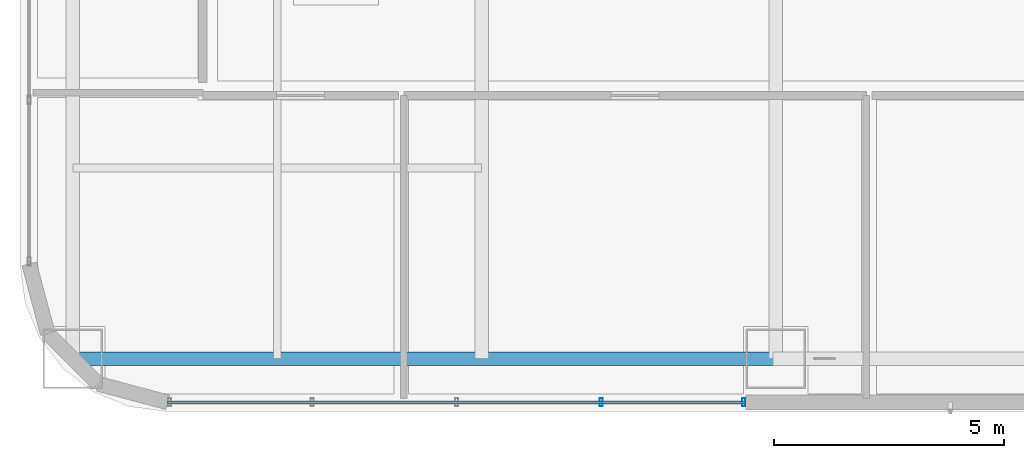
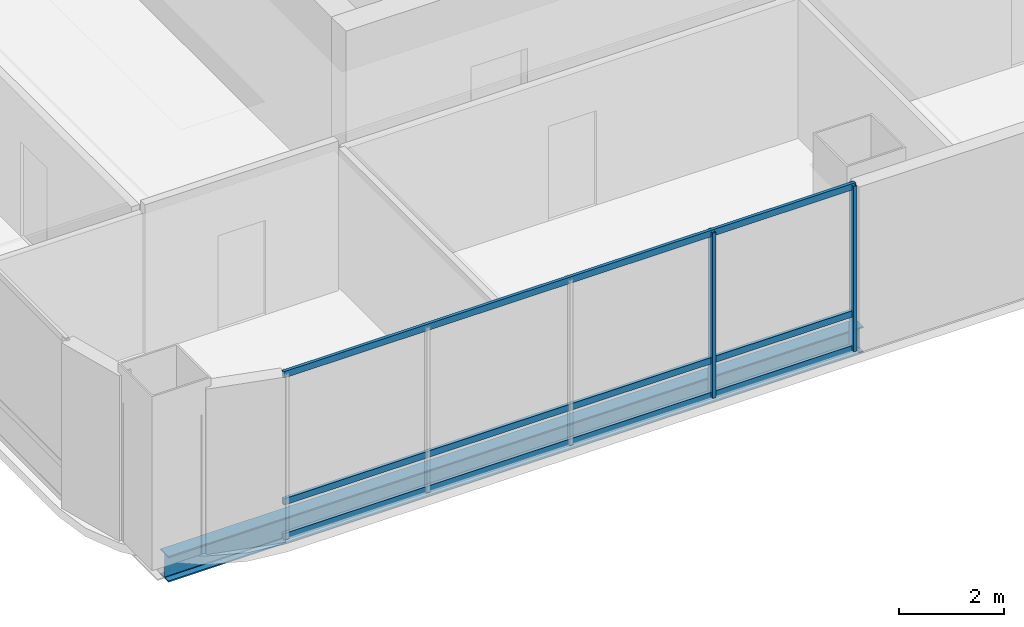
# One storey, part 3 of 44: 5 members, 1 beam, 1 element without a shape of its own.
"""IFC4 building model written with IfcOpenShell, lengths in metres."""

import ifcopenshell
import ifcopenshell.guid

model = None  # the IFC model being written
_history = None  # IfcOwnerHistory: only IFC2X3 demands one
_inside = {}  # id of a spatial element -> (the spatial element, [elements in it])
_under = {}  # id of a project, library or spatial element -> (it, [spatial elements below it])
_declared = {}  # id of a project -> (the project, [libraries it declares])
_typed = {}  # id of a type object -> (the type object, [elements of that type])
_made_of = {}  # id of a material, layer set ... -> (it, [elements and type objects made of it])


def new_model(schema):
    """Start an empty IFC model of exactly this schema.

    Asked for "IFC4X3", IfcOpenShell would pick the latest addendum, in which some entities
    have other attributes; the version numbers below select the first issue.
    IFC2X3 requires an IfcOwnerHistory on every rooted entity: one is made here for all.
    """
    global model, _history
    if schema == "IFC4X3":
        model = ifcopenshell.file(schema_version=(4, 3, 0, 0))
    else:
        model = ifcopenshell.file(schema=schema)
    _inside.clear()
    _under.clear()
    _declared.clear()
    _typed.clear()
    _made_of.clear()
    _history = None
    if model.schema == "IFC2X3":
        org = make("IfcOrganization", Name="unknown")
        user = make(
            "IfcPersonAndOrganization",
            ThePerson=make("IfcPerson", FamilyName="unknown"),
            TheOrganization=org,
        )
        app = make(
            "IfcApplication",
            ApplicationDeveloper=org,
            Version="unknown",
            ApplicationFullName="unknown",
            ApplicationIdentifier="unknown",
        )
        _history = make(
            "IfcOwnerHistory",
            OwningUser=user,
            OwningApplication=app,
            ChangeAction="ADDED",
            CreationDate=0,
        )
    return model


def make(cls, **values):
    """One entity of the class cls with the attributes given. An attribute that is None is left unset."""
    return model.create_entity(
        cls, **{name: value for name, value in values.items() if value is not None}
    )


def rooted(cls, **values):
    """An entity with a GlobalId (a new one), such as an element, a storey or a relation."""
    return make(cls, GlobalId=ifcopenshell.guid.new(), OwnerHistory=_history, **values)


def si_unit(unit_type, name, prefix=None):
    """IfcSIUnit, for example si_unit("LENGTHUNIT", "METRE", prefix="MILLI")."""
    return make("IfcSIUnit", UnitType=unit_type, Prefix=prefix, Name=name)


def assignment(units):
    """IfcUnitAssignment: the units of a project."""
    return None if units is None else make("IfcUnitAssignment", Units=units)


def point(xyz):
    """IfcCartesianPoint."""
    return None if xyz is None else make("IfcCartesianPoint", Coordinates=xyz)


def direction(xyz):
    """IfcDirection."""
    return None if xyz is None else make("IfcDirection", DirectionRatios=xyz)


def frame(location, z_axis=None, x_axis=None):
    """IfcAxis2Placement3D, a coordinate frame: its origin and axes. An axis left out is left unset."""
    return make(
        "IfcAxis2Placement3D",
        Location=point(location),
        Axis=direction(z_axis),
        RefDirection=direction(x_axis),
    )


def frame_2d(location, x_axis=None):
    """IfcAxis2Placement2D, a coordinate frame in the plane: its origin and x axis."""
    return make(
        "IfcAxis2Placement2D", Location=point(location), RefDirection=direction(x_axis)
    )


def origin():
    """The frame at (0, 0, 0) with its axes left unset."""
    return frame((0.0, 0.0, 0.0))


def origin_2d():
    """The frame at (0, 0) in the plane with its x axis left unset."""
    return frame_2d((0.0, 0.0))


def place(relative_to, where):
    """IfcLocalPlacement: puts the frame where relative to a parent placement (None: the world)."""
    return make(
        "IfcLocalPlacement", PlacementRelTo=relative_to, RelativePlacement=where
    )


def context(
    kind, dimensions, precision=None, world=None, true_north=None, identifier=None
):
    """IfcGeometricRepresentationContext, for example the 3D "Model" context."""
    return make(
        "IfcGeometricRepresentationContext",
        ContextIdentifier=identifier,
        ContextType=kind,
        CoordinateSpaceDimension=dimensions,
        Precision=precision,
        WorldCoordinateSystem=world,
        TrueNorth=true_north,
    )


def subcontext(parent, identifier, kind, view, scale=None):
    """IfcGeometricRepresentationSubContext, for example "Body" below "Model"."""
    return make(
        "IfcGeometricRepresentationSubContext",
        ContextIdentifier=identifier,
        ContextType=kind,
        ParentContext=parent,
        TargetScale=scale,
        TargetView=view,
    )


def project(units=None, contexts=None):
    """IfcProject with its units and contexts."""
    return rooted(
        "IfcProject",
        Name="project",
        RepresentationContexts=contexts,
        UnitsInContext=assignment(units),
    )


def spatial(cls, under=None, at=None, **own):
    """A site, building, storey or space (cls), placed at a placement, below another one or the project."""
    s = rooted(cls, ObjectPlacement=at, **own)
    if under is not None:
        _under.setdefault(under.id(), (under, []))[1].append(s)
    return s


def profile(cls, at=None, kind="AREA", **sizes):
    """A parametric profile (cls). Its sizes go by their IFC names, for example OverallWidth=200.0."""
    return make(cls, ProfileType=kind, Position=at, **sizes)


def hollow_rectangle(**sizes):
    """IfcRectangleHollowProfileDef."""
    return profile("IfcRectangleHollowProfileDef", **sizes)


def i_section(**sizes):
    """IfcIShapeProfileDef."""
    return profile("IfcIShapeProfileDef", **sizes)


def extrude(swept, where, along, depth):
    """IfcExtrudedAreaSolid: the profile swept, set in the frame where, extruded along a direction by depth."""
    return make(
        "IfcExtrudedAreaSolid",
        SweptArea=swept,
        Position=where,
        ExtrudedDirection=direction(along),
        Depth=depth,
    )


def shape(context_of_items, identifier, shape_type, items):
    """IfcShapeRepresentation: the items that make up one representation, for example the "Body"."""
    return make(
        "IfcShapeRepresentation",
        ContextOfItems=context_of_items,
        RepresentationIdentifier=identifier,
        RepresentationType=shape_type,
        Items=items,
    )


def material(Name=None, Category=None):
    """IfcMaterial."""
    return make("IfcMaterial", Name=Name, Category=Category)


def material_profile(
    of_material, cross_section, Name=None, Category=None, Priority=None
):
    """IfcMaterialProfile: a cross section and its material."""
    return make(
        "IfcMaterialProfile",
        Name=Name,
        Material=of_material,
        Profile=cross_section,
        Priority=Priority,
        Category=Category,
    )


def profile_set(profiles, Name=None, composite=None):
    """IfcMaterialProfileSet."""
    return make(
        "IfcMaterialProfileSet",
        Name=Name,
        MaterialProfiles=profiles,
        CompositeProfile=composite,
    )


def made_of(thing, what):
    """Note that an element or type object is made of a material, layer set ...; save() writes the relation."""
    if what is not None:
        _made_of.setdefault(what.id(), (what, []))[1].append(thing)
    return thing


def type_object(cls, material=None, **own):
    """A type object (cls), such as IfcWallType, which elements share."""
    return made_of(rooted(cls, **own), material)


def element(
    cls,
    number,
    at=None,
    inside=None,
    cuts=None,
    type_object=None,
    material=None,
    context=None,
    identifier="Body",
    shape_type=None,
    held_by="IfcProductDefinitionShape",
    body=None,
    shapes=None,
    **own,
):
    """One element of the class cls, such as IfcWall. Its Tag is "e" and its number.

    at: its placement. inside: the storey or other place that contains it. cuts: it is an
    opening in that element (IfcRelVoidsElement). A single representation is given by context,
    identifier, shape_type and body (its items); several are given by shapes. held_by: the class
    of the entity that holds the representations. save() writes the other relations.
    """
    e = rooted(cls, Tag="e%d" % number, ObjectPlacement=at, **own)
    if body is not None:
        shapes = [shape(context, identifier, shape_type, body)]
    if shapes is not None:
        e.Representation = make(held_by, Representations=shapes)
    if inside is not None:
        _inside.setdefault(inside.id(), (inside, []))[1].append(e)
    if cuts is not None:
        rooted(
            "IfcRelVoidsElement", RelatingBuildingElement=cuts, RelatedOpeningElement=e
        )
    if type_object is not None:
        _typed.setdefault(type_object.id(), (type_object, []))[1].append(e)
    return made_of(e, material)


def aggregate(whole, parts):
    """IfcRelAggregates: a whole, such as a stair, and the parts it consists of."""
    return rooted("IfcRelAggregates", RelatingObject=whole, RelatedObjects=parts)


def save(model, path):
    """Write the relations noted so far, then the file.

    IfcRelAggregates (storeys below a building ...), IfcRelContainedInSpatialStructure (elements
    in a storey), IfcRelDefinesByType, IfcRelAssociatesMaterial and IfcRelDeclares: one each for
    every whole, place, type object, material and project.
    """
    for whole, parts in _under.values():
        aggregate(whole, parts)
    for where, things in _inside.values():
        rooted(
            "IfcRelContainedInSpatialStructure",
            RelatedElements=things,
            RelatingStructure=where,
        )
    for kind, things in _typed.values():
        rooted("IfcRelDefinesByType", RelatedObjects=things, RelatingType=kind)
    for what, things in _made_of.values():
        rooted("IfcRelAssociatesMaterial", RelatedObjects=things, RelatingMaterial=what)
    for by, libraries in _declared.values():
        rooted("IfcRelDeclares", RelatingContext=by, RelatedDefinitions=libraries)
    model.write(path)


model = new_model("IFC4")

# Units and contexts
model_context = context("Model", 3, precision=1e-05, world=origin(), true_north=direction((0.0, 1.0)))
body_context = subcontext(model_context, "Body", "Model", "MODEL_VIEW")
ifc_project = project(units=[si_unit("LENGTHUNIT", "METRE"), si_unit("AREAUNIT", "SQUARE_METRE"), si_unit("VOLUMEUNIT", "CUBIC_METRE"), si_unit("PLANEANGLEUNIT", "RADIAN"), si_unit("MASSUNIT", "GRAM", prefix="KILO")], contexts=[model_context])

# Site, building, storey
site_placement = place(None, origin())
site = spatial("IfcSite", under=ifc_project, at=site_placement, CompositionType="ELEMENT")
building_placement = place(site_placement, origin())
building = spatial("IfcBuilding", under=site, at=building_placement, Name="Punatoya Terracotta Tower", CompositionType="ELEMENT")
storey_placement = place(building_placement, frame((0.0, 0.0, 267.60009765625)))
storey = spatial("IfcBuildingStorey", under=building, at=storey_placement, Name="L63", CompositionType="ELEMENT", Elevation=267.60009765625)

# Beam
ifc_material_1 = material(Name="Steel S355", Category="steel")
ifc_material_profile_1 = material_profile(ifc_material_1, i_section(OverallWidth=0.300048828125, OverallDepth=0.60009765625, WebThickness=0.015380859375, FlangeThickness=0.030029296875, FilletRadius=0.01806640625, at=origin_2d()))
ifc_profile_set_1 = profile_set([ifc_material_profile_1], Name="Steel S355")
beam_type = type_object("IfcBeamType", Name="BM-PRI-600", PredefinedType="BEAM", material=ifc_profile_set_1)
beam_placement = place(storey_placement, frame((-19.10009765625, -17.5, -0.5), z_axis=(1.0, 0.0, 0.0), x_axis=(0.0, 1.0, 0.0)))
element("IfcBeam", 1, at=beam_placement, inside=storey, type_object=beam_type, Name="BM-L63-RG-S1", PredefinedType="BEAM", context=body_context, shape_type="SweptSolid", body=[
    extrude(i_section(OverallWidth=0.300048828125, OverallDepth=0.60009765625, WebThickness=0.015380859375, FlangeThickness=0.030029296875, FilletRadius=0.01806640625, at=origin_2d()), origin(), (0.0, 0.0, 1.0), 15.300048828125),
])

# Curtain wall, members
ifc_material_2 = material(Name="Aluminium 6063-T6 + Double Low-E Glass", Category="aluminium")
curtain_wall_type = type_object("IfcCurtainWallType", Name="CW-M3", PredefinedType="NOTDEFINED", material=ifc_material_2)
curtain_wall_placement = place(storey_placement, origin())
curtain_wall = element("IfcCurtainWall", 2, at=curtain_wall_placement, inside=storey, type_object=curtain_wall_type, Name="L63 Curtain Wall CW-L63-S01-1", PredefinedType="NOTDEFINED")
ifc_material_3 = material(Name="Aluminium 6063-T6", Category="aluminium")
ifc_material_profile_2 = material_profile(ifc_material_3, hollow_rectangle(XDim=0.070068359375, YDim=0.179931640625, WallThickness=0.00390625, at=origin_2d()))
ifc_profile_set_2 = profile_set([ifc_material_profile_2], Name="Aluminium 6063-T6")
member_type_1 = type_object("IfcMemberType", Name="CW-MUL-M3", PredefinedType="MULLION", material=ifc_profile_set_2)
member_1_placement = place(storey_placement, frame((-7.5966796875, -18.449951171875, 0.0), z_axis=(0.0, 0.0, 1.0), x_axis=(1.0, 0.0, 0.0)))
member_1 = element("IfcMember", 3, at=member_1_placement, type_object=member_type_1, Name="CW-L63-S01-1 Mullion 03", PredefinedType="MULLION", context=body_context, shape_type="SweptSolid", body=[
    extrude(hollow_rectangle(XDim=0.070068359375, YDim=0.179931640625, WallThickness=0.00390625, at=origin_2d()), origin(), (0.0, 0.0, 1.0), 3.849853515625),
])
member_2_placement = place(storey_placement, frame((-4.4951171875, -18.449951171875, 0.0), z_axis=(0.0, 0.0, 1.0), x_axis=(1.0, 0.0, 0.0)))
member_2 = element("IfcMember", 4, at=member_2_placement, type_object=member_type_1, Name="CW-L63-S01-1 Mullion 04", PredefinedType="MULLION", context=body_context, shape_type="SweptSolid", body=[
    extrude(hollow_rectangle(XDim=0.070068359375, YDim=0.179931640625, WallThickness=0.00390625, at=origin_2d()), origin(), (0.0, 0.0, 1.0), 3.849853515625),
])
ifc_material_profile_3 = material_profile(ifc_material_3, hollow_rectangle(XDim=0.068115234375, YDim=0.14990234375, WallThickness=0.00390625, at=origin_2d()))
ifc_profile_set_3 = profile_set([ifc_material_profile_3], Name="Aluminium 6063-T6")
member_type_2 = type_object("IfcMemberType", Name="CW-TRN-TYP", PredefinedType="USERDEFINED", material=ifc_profile_set_3)
member_3_placement = place(storey_placement, frame((-17.036865234375, -18.449951171875, 0.039794921875), z_axis=(1.0, 0.0, 0.0), x_axis=(0.0, 1.0, 0.0)))
member_3 = element("IfcMember", 5, at=member_3_placement, type_object=member_type_2, Name="CW-L63-S01-1 Transom 1", ObjectType="TRANSOM", PredefinedType="USERDEFINED", context=body_context, shape_type="SweptSolid", body=[
    extrude(hollow_rectangle(XDim=0.068115234375, YDim=0.14990234375, WallThickness=0.00390625, at=origin_2d()), origin(), (0.0, 0.0, 1.0), 12.5869140625),
])
member_4_placement = place(storey_placement, frame((-17.036865234375, -18.449951171875, 0.849853515625), z_axis=(1.0, 0.0, 0.0), x_axis=(0.0, 1.0, 0.0)))
member_4 = element("IfcMember", 6, at=member_4_placement, type_object=member_type_2, Name="CW-L63-S01-1 Transom 2", ObjectType="TRANSOM", PredefinedType="USERDEFINED", context=body_context, shape_type="SweptSolid", body=[
    extrude(hollow_rectangle(XDim=0.068115234375, YDim=0.14990234375, WallThickness=0.00390625, at=origin_2d()), origin(), (0.0, 0.0, 1.0), 12.5869140625),
])
member_5_placement = place(storey_placement, frame((-17.036865234375, -18.449951171875, 3.809814453125), z_axis=(1.0, 0.0, 0.0), x_axis=(0.0, 1.0, 0.0)))
member_5 = element("IfcMember", 7, at=member_5_placement, type_object=member_type_2, Name="CW-L63-S01-1 Transom 3", ObjectType="TRANSOM", PredefinedType="USERDEFINED", context=body_context, shape_type="SweptSolid", body=[
    extrude(hollow_rectangle(XDim=0.068115234375, YDim=0.14990234375, WallThickness=0.00390625, at=origin_2d()), origin(), (0.0, 0.0, 1.0), 12.5869140625),
])
aggregate(curtain_wall, [member_1, member_2, member_3, member_4, member_5])

save(model, "model.ifc")
